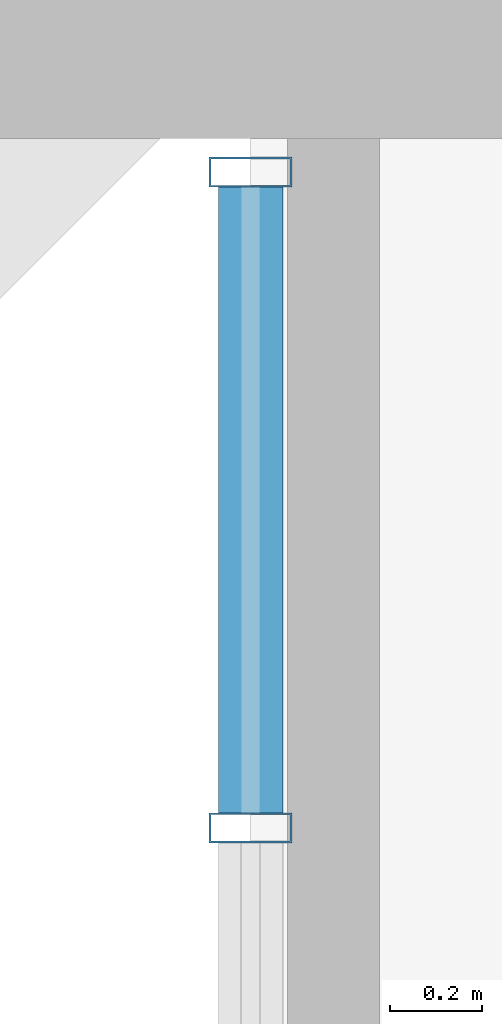
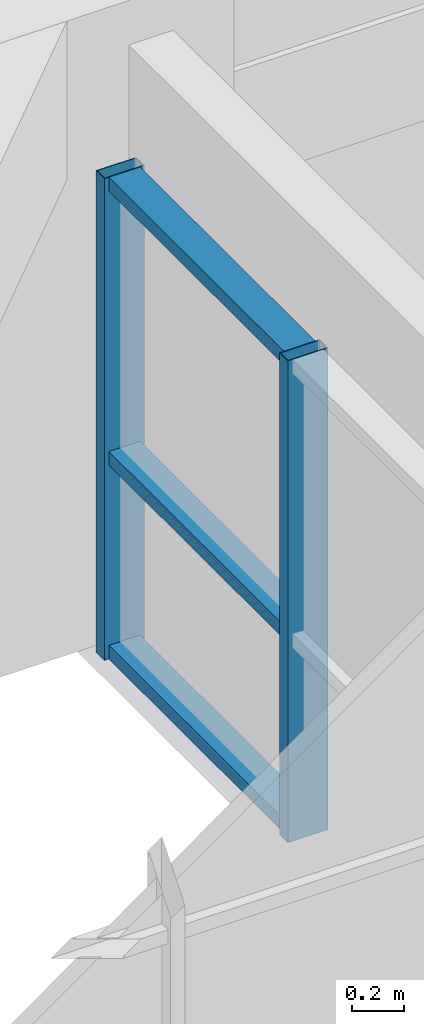
# One storey, part 8 of 27: 5 members, 1 element without a shape of its own.
"""IFC4 building model written with IfcOpenShell, lengths in metres."""

from ifc_helpers import new_model, si_unit, direction, frame, origin, origin_2d, place, context, subcontext, project, spatial, hollow_rectangle, extrude, source, transform, mapped, material, layer, layer_set, material_profile, profile_set, type_object, element, aggregate, save


model = new_model("IFC4")

# Units and contexts
model_context = context("Model", 3, precision=1e-05, world=origin(), true_north=direction((0.0, 1.0)))
body_context = subcontext(model_context, "Body", "Model", "MODEL_VIEW")
ifc_project = project(units=[si_unit("LENGTHUNIT", "METRE"), si_unit("AREAUNIT", "SQUARE_METRE"), si_unit("VOLUMEUNIT", "CUBIC_METRE"), si_unit("PLANEANGLEUNIT", "RADIAN"), si_unit("MASSUNIT", "GRAM", prefix="KILO")], contexts=[model_context])

# Site, building, storey
site_placement = place(None, origin())
site = spatial("IfcSite", under=ifc_project, at=site_placement, CompositionType="ELEMENT")
building_placement = place(site_placement, origin())
building = spatial("IfcBuilding", under=site, at=building_placement, Name="Saelheon Loggia Tower", CompositionType="ELEMENT")
storey_placement = place(building_placement, frame((0.0, 0.0, 43.39990234375)))
storey = spatial("IfcBuildingStorey", under=building, at=storey_placement, Name="L13", CompositionType="ELEMENT", Elevation=43.39990234375)

# Curtain wall, members
ifc_material_1 = material(Name="Thermal-Break Aluminium and Triple Low-E Glass", Category="aluminium")
ifc_layer = layer(ifc_material_1, 0.159912109375)
ifc_layer_set = layer_set([ifc_layer], Name="Thermal-Break Aluminium and Triple Low-E Glass")
curtain_wall_type = type_object("IfcCurtainWallType", Name="CW_TowerLoggiaLow", PredefinedType="NOTDEFINED", material=ifc_layer_set)
curtain_wall_placement = place(storey_placement, origin())
curtain_wall = element("IfcCurtainWall", 1, at=curtain_wall_placement, inside=storey, type_object=curtain_wall_type, Name="L13 Corner Notch Glazing NW1", PredefinedType="NOTDEFINED")
ifc_material_2 = material(Name="Anodised Aluminium 6063-T6", Category="aluminium")
ifc_material_profile_1 = material_profile(ifc_material_2, hollow_rectangle(XDim=0.06494140625, YDim=0.179931640625, WallThickness=0.00390625, at=origin_2d()), Name="RHS-180x65x4")
ifc_profile_set_1 = profile_set([ifc_material_profile_1], Name="Anodised Aluminium 6063-T6")
member_type_1 = type_object("IfcMemberType", Name="CW_TowerLoggiaLow_Mullion", PredefinedType="MULLION", material=ifc_profile_set_1)
shared_shape_1 = source(origin(), body_context, "Body", "SweptSolid", [
    extrude(hollow_rectangle(XDim=0.06494140625, YDim=0.179931640625, WallThickness=0.00390625, at=origin_2d()), origin(), (0.0, 0.0, 1.0), 2.280029296875),
])
member_1_placement = place(storey_placement, frame((15.5, 48.955078125, 0.0), z_axis=(0.0, 0.0, 1.0), x_axis=(0.0, 1.0, 0.0)))
member_1 = element("IfcMember", 2, at=member_1_placement, type_object=member_type_1, Name="CW3 mullion 2", PredefinedType="MULLION", context=body_context, shape_type="MappedRepresentation", body=[
    mapped(shared_shape_1, transform((0.0, 0.0, 0.0), scale=1.0)),
])
member_2_placement = place(storey_placement, frame((15.5, 50.37744140625, 0.0), z_axis=(0.0, 0.0, 1.0), x_axis=(0.0, 1.0, 0.0)))
member_2 = element("IfcMember", 3, at=member_2_placement, type_object=member_type_1, Name="CW3 mullion 3", PredefinedType="MULLION", context=body_context, shape_type="MappedRepresentation", body=[
    mapped(shared_shape_1, transform((0.0, 0.0, 0.0), scale=1.0)),
])
ifc_material_profile_2 = material_profile(ifc_material_2, hollow_rectangle(XDim=0.06494140625, YDim=0.139892578125, WallThickness=0.00390625, at=origin_2d()), Name="RHS-140x65x4")
ifc_profile_set_2 = profile_set([ifc_material_profile_2], Name="Anodised Aluminium 6063-T6")
member_type_2 = type_object("IfcMemberType", Name="CW_TowerLoggiaLow_Transom", PredefinedType="USERDEFINED", material=ifc_profile_set_2)
shared_shape_2 = source(origin(), body_context, "Body", "SweptSolid", [
    extrude(hollow_rectangle(XDim=0.06494140625, YDim=0.139892578125, WallThickness=0.00390625, at=origin_2d()), origin(), (0.0, 0.0, 1.0), 1.357421875),
])
member_3_placement = place(storey_placement, frame((15.5, 48.987548828125, 0.03271484375), z_axis=(0.0, 1.0, 0.0), x_axis=(0.0, 0.0, 1.0)))
member_3 = element("IfcMember", 4, at=member_3_placement, type_object=member_type_2, Name="CW3 transom 2.1", ObjectType="TRANSOM", PredefinedType="USERDEFINED", context=body_context, shape_type="MappedRepresentation", body=[
    mapped(shared_shape_2, transform((0.0, 0.0, 0.0), scale=1.0)),
])
member_4_placement = place(storey_placement, frame((15.5, 48.987548828125, 0.9501953125), z_axis=(0.0, 1.0, 0.0), x_axis=(0.0, 0.0, 1.0)))
member_4 = element("IfcMember", 5, at=member_4_placement, type_object=member_type_2, Name="CW3 transom 2.2", ObjectType="TRANSOM", PredefinedType="USERDEFINED", context=body_context, shape_type="MappedRepresentation", body=[
    mapped(shared_shape_2, transform((0.0, 0.0, 0.0), scale=1.0)),
])
member_5_placement = place(storey_placement, frame((15.5, 48.987548828125, 2.24755859375), z_axis=(0.0, 1.0, 0.0), x_axis=(0.0, 0.0, 1.0)))
member_5 = element("IfcMember", 6, at=member_5_placement, type_object=member_type_2, Name="CW3 transom 2.3", ObjectType="TRANSOM", PredefinedType="USERDEFINED", context=body_context, shape_type="MappedRepresentation", body=[
    mapped(shared_shape_2, transform((0.0, 0.0, 0.0), scale=1.0)),
])
aggregate(curtain_wall, [member_1, member_2, member_3, member_4, member_5])

save(model, "model.ifc")
